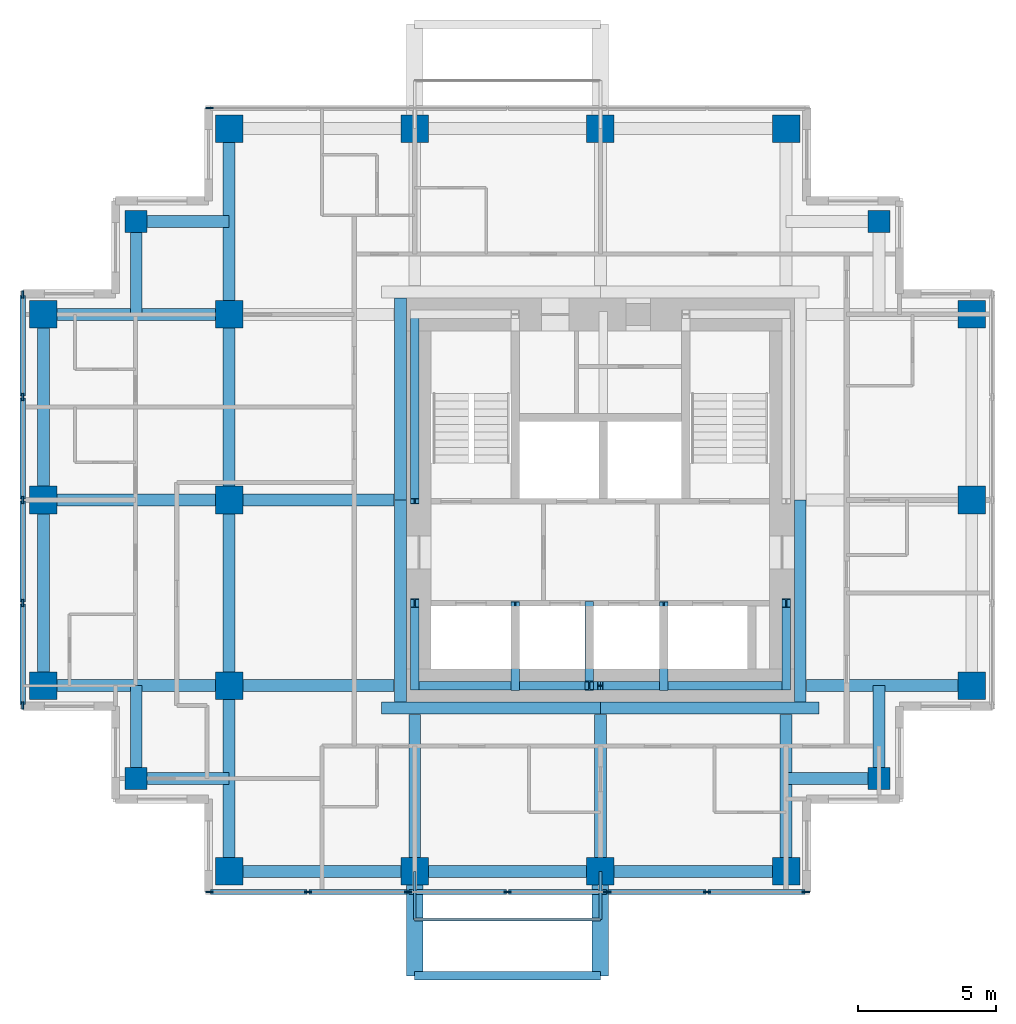
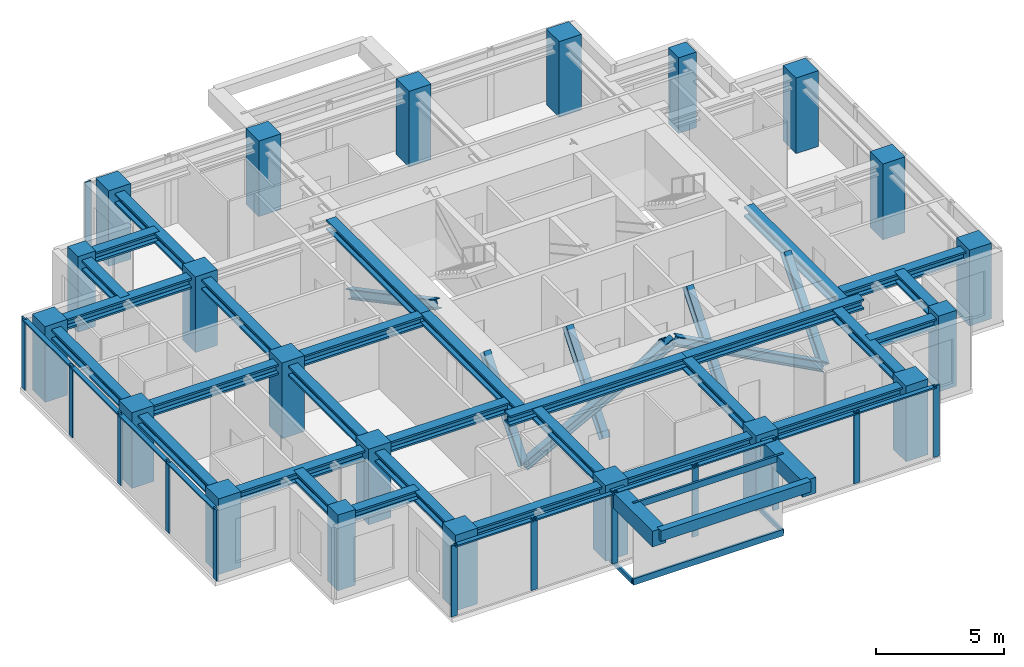
# One storey, part 1 of 8: 35 members, 32 beams, 21 columns, 3 elements without a shape of their own.
"""IFC4 building model written with IfcOpenShell, lengths in metres."""

from ifc_helpers import new_model, si_unit, direction, frame, origin, origin_2d, place, context, subcontext, project, spatial, rectangle, hollow_rectangle, i_section, extrude, material, material_profile, profile_set, type_object, element, aggregate, save


model = new_model("IFC4")

# Units and contexts
model_context = context("Model", 3, precision=1e-05, world=origin(), true_north=direction((0.0, 1.0)))
body_context = subcontext(model_context, "Body", "Model", "MODEL_VIEW")
ifc_project = project(units=[si_unit("LENGTHUNIT", "METRE"), si_unit("AREAUNIT", "SQUARE_METRE"), si_unit("VOLUMEUNIT", "CUBIC_METRE"), si_unit("PLANEANGLEUNIT", "RADIAN"), si_unit("MASSUNIT", "GRAM", prefix="KILO")], contexts=[model_context])

# Site, building, storey
site_placement = place(None, origin())
site = spatial("IfcSite", under=ifc_project, at=site_placement, CompositionType="ELEMENT")
building_placement = place(site_placement, origin())
building = spatial("IfcBuilding", under=site, at=building_placement, Name="Nyansa Garden Tower", CompositionType="ELEMENT")
storey_placement = place(building_placement, frame((0.0, 0.0, 229.5)))
storey = spatial("IfcBuildingStorey", under=building, at=storey_placement, Name="L62", CompositionType="ELEMENT", Elevation=229.5)

# Columns
ifc_material_1 = material(Name="Concrete C70/85", Category="concrete")
ifc_material_profile_1 = material_profile(ifc_material_1, rectangle(XDim=1.0, YDim=1.0, at=origin_2d()), Name="RC 1000x1000")
ifc_profile_set_1 = profile_set([ifc_material_profile_1], Name="Concrete C70/85")
column_type_1 = type_object("IfcColumnType", Name="Column C100 RC 1000x1000", PredefinedType="COLUMN", material=ifc_profile_set_1)
for number, where, z_axis, x_axis, name in (
    (1, (0.0, 13.5, 0.0), (0.0, 0.0, 1.0), (1.0, 0.0, 0.0), "Column 2/F L62"),
    (2, (0.0, 20.25, 0.0), (0.0, 0.0, 1.0), (1.0, 0.0, 0.0), "Column 2/G L62"),
    (3, (0.0, 27.0, 0.0), (0.0, 0.0, 1.0), (1.0, 0.0, 0.0), "Column 2/H L62"),
    (4, (6.75, 6.75, 0.0), (0.0, 0.0, 1.0), (1.0, 0.0, 0.0), "Column 3/E L62"),
    (5, (6.75, 13.5, 0.0), (0.0, 0.0, 1.0), (1.0, 0.0, 0.0), "Column 3/F L62"),
    (6, (6.75, 20.25, 0.0), (0.0, 0.0, 1.0), (1.0, 0.0, 0.0), "Column 3/G L62"),
    (7, (6.75, 27.0, 0.0), (0.0, 0.0, 1.0), (1.0, 0.0, 0.0), "Column 3/H L62"),
    (8, (6.75, 33.75, 0.0), (0.0, 0.0, 1.0), (1.0, 0.0, 0.0), "Column 3/J L62"),
    (9, (13.5, 6.75, 0.0), (0.0, 0.0, 1.0), (1.0, 0.0, 0.0), "Column 4/E L62"),
    (10, (13.5, 33.75, 0.0), (0.0, 0.0, 1.0), (1.0, 0.0, 0.0), "Column 4/J L62"),
    (11, (20.25, 6.75, 0.0), (0.0, 0.0, 1.0), (1.0, 0.0, 0.0), "Column 5/E L62"),
    (12, (20.25, 33.75, 0.0), (0.0, 0.0, 1.0), (1.0, 0.0, 0.0), "Column 5/J L62"),
    (13, (27.0, 6.75, 0.0), (0.0, 0.0, 1.0), (1.0, 0.0, 0.0), "Column 6/E L62"),
    (14, (27.0, 33.75, 0.0), (0.0, 0.0, 1.0), (1.0, 0.0, 0.0), "Column 6/J L62"),
    (15, (33.75, 13.5, 0.0), (0.0, 0.0, 1.0), (1.0, 0.0, 0.0), "Column 7/F L62"),
    (16, (33.75, 20.25, 0.0), (0.0, 0.0, 1.0), (1.0, 0.0, 0.0), "Column 7/G L62"),
    (17, (33.75, 27.0, 0.0), (0.0, 0.0, 1.0), (1.0, 0.0, 0.0), "Column 7/H L62"),
):
    element("IfcColumn", number, at=place(storey_placement, frame(where, z_axis=z_axis, x_axis=x_axis)), inside=storey, type_object=column_type_1, Name=name, PredefinedType="COLUMN", context=body_context, shape_type="SweptSolid", body=[
        extrude(rectangle(XDim=1.0, YDim=1.0, at=origin_2d()), origin(), (0.0, 0.0, 1.0), 3.60009765625),
    ])
ifc_material_2 = material(Name="Concrete C70/85", Category="concrete")
ifc_material_profile_2 = material_profile(ifc_material_2, rectangle(XDim=0.800048828125, YDim=0.800048828125, at=origin_2d()), Name="RC 800x800")
ifc_profile_set_2 = profile_set([ifc_material_profile_2], Name="Concrete C70/85")
column_type_2 = type_object("IfcColumnType", Name="Column C80 RC 800x800", PredefinedType="COLUMN", material=ifc_profile_set_2)
for number, where, z_axis, x_axis, name in (
    (18, (3.375, 10.125, 0.0), (0.0, 0.0, 1.0), (1.0, 0.0, 0.0), "Column x3.375/y10.125 L62"),
    (19, (3.375, 30.375, 0.0), (0.0, 0.0, 1.0), (1.0, 0.0, 0.0), "Column x3.375/y30.375 L62"),
    (20, (30.375, 10.125, 0.0), (0.0, 0.0, 1.0), (1.0, 0.0, 0.0), "Column x30.375/y10.125 L62"),
    (21, (30.375, 30.375, 0.0), (0.0, 0.0, 1.0), (1.0, 0.0, 0.0), "Column x30.375/y30.375 L62"),
):
    element("IfcColumn", number, at=place(storey_placement, frame(where, z_axis=z_axis, x_axis=x_axis)), inside=storey, type_object=column_type_2, Name=name, PredefinedType="COLUMN", context=body_context, shape_type="SweptSolid", body=[
        extrude(rectangle(XDim=0.800048828125, YDim=0.800048828125, at=origin_2d()), origin(), (0.0, 0.0, 1.0), 3.60009765625),
    ])

# Beams
ifc_material_3 = material(Name="Concrete C70/85", Category="concrete")
ifc_material_profile_3 = material_profile(ifc_material_3, rectangle(XDim=0.60009765625, YDim=0.75, at=origin_2d()), Name="RC 600x750")
ifc_profile_set_3 = profile_set([ifc_material_profile_3], Name="Concrete C70/85")
beam_type_1 = type_object("IfcBeamType", Name="Balcony cantilever beam CB1 RC 600x750", PredefinedType="BEAM", material=ifc_profile_set_3)
for number, where, z_axis, x_axis, name in (
    (22, (13.5, 6.75, 2.985107421875), (0.0, -1.0, 0.0), (1.0, 0.0, 0.0), "Balcony cantilever beam L63"),
    (23, (20.25, 6.75, 2.985107421875), (0.0, -1.0, 0.0), (1.0, 0.0, 0.0), "Balcony cantilever beam L63"),
):
    element("IfcBeam", number, at=place(storey_placement, frame(where, z_axis=z_axis, x_axis=x_axis)), inside=storey, type_object=beam_type_1, Name=name, PredefinedType="BEAM", context=body_context, shape_type="SweptSolid", body=[
        extrude(rectangle(XDim=0.60009765625, YDim=0.75, at=origin_2d()), origin(), (0.0, 0.0, 1.0), 3.800048828125),
    ])
ifc_material_4 = material(Name="Concrete C70/85", Category="concrete")
ifc_material_profile_4 = material_profile(ifc_material_4, rectangle(XDim=0.300048828125, YDim=0.5, at=origin_2d()), Name="RC 300x500")
ifc_profile_set_4 = profile_set([ifc_material_profile_4], Name="Concrete C70/85")
beam_type_2 = type_object("IfcBeamType", Name="Balcony edge beam BE1 RC 300x500", PredefinedType="BEAM", material=ifc_profile_set_4)
beam_1_placement = place(storey_placement, frame((13.5, 2.949951171875, 3.110107421875), z_axis=(1.0, 0.0, 0.0), x_axis=(0.0, 1.0, 0.0)))
element("IfcBeam", 24, at=beam_1_placement, inside=storey, type_object=beam_type_2, Name="Balcony edge beam L63", PredefinedType="BEAM", context=body_context, shape_type="SweptSolid", body=[
    extrude(rectangle(XDim=0.300048828125, YDim=0.5, at=origin_2d()), origin(), (0.0, 0.0, 1.0), 6.75),
])

# Curtain wall, member
ifc_material_5 = material(Name="Black anodised aluminium, dark tinted double glazing", Category="aluminium")
curtain_wall_type = type_object("IfcCurtainWallType", Name="Inner skin curtain wall ISW-D", PredefinedType="USERDEFINED", material=ifc_material_5)
curtain_wall_1_placement = place(storey_placement, origin())
curtain_wall_1 = element("IfcCurtainWall", 25, at=curtain_wall_1_placement, inside=storey, type_object=curtain_wall_type, Name="Inner skin curtain wall L62 N", ObjectType="UNITISED CURTAIN WALL", PredefinedType="USERDEFINED")
ifc_material_6 = material(Name="Black anodised aluminium", Category="aluminium")
ifc_material_profile_5 = material_profile(ifc_material_6, rectangle(XDim=0.070068359375, YDim=0.27490234375, at=origin_2d()), Name="Mullion 275x70")
ifc_profile_set_5 = profile_set([ifc_material_profile_5], Name="Black anodised aluminium")
member_type_1 = type_object("IfcMemberType", Name="Mullion ISW-D 275x70", PredefinedType="MULLION", material=ifc_profile_set_5)
member_1_placement = place(storey_placement, frame((6.034912109375, 34.5, 0.0), z_axis=(0.0, 0.0, 1.0), x_axis=(0.0, -1.0, 0.0)))
member_1 = element("IfcMember", 26, at=member_1_placement, type_object=member_type_1, Name="ISW-D mullion 7", PredefinedType="MULLION", context=body_context, shape_type="SweptSolid", body=[
    extrude(rectangle(XDim=0.070068359375, YDim=0.27490234375, at=origin_2d()), origin(), (0.0, 0.0, 1.0), 3.375),
])
aggregate(curtain_wall_1, [member_1])

# Curtain wall, members
curtain_wall_2_placement = place(storey_placement, origin())
curtain_wall_2 = element("IfcCurtainWall", 27, at=curtain_wall_2_placement, inside=storey, type_object=curtain_wall_type, Name="Inner skin curtain wall L62 W", ObjectType="UNITISED CURTAIN WALL", PredefinedType="USERDEFINED")
member_2_placement = place(storey_placement, frame((-0.75, 27.715087890625, 0.0), z_axis=(0.0, 0.0, 1.0), x_axis=(1.0, 0.0, 0.0)))
member_2 = element("IfcMember", 28, at=member_2_placement, type_object=member_type_1, Name="ISW-D mullion 1", PredefinedType="MULLION", context=body_context, shape_type="SweptSolid", body=[
    extrude(rectangle(XDim=0.070068359375, YDim=0.27490234375, at=origin_2d()), origin(), (0.0, 0.0, 1.0), 3.375),
])
member_3_placement = place(storey_placement, frame((-0.75, 24.0, 0.0), z_axis=(0.0, 0.0, 1.0), x_axis=(1.0, 0.0, 0.0)))
member_3 = element("IfcMember", 29, at=member_3_placement, type_object=member_type_1, Name="ISW-D mullion 2", PredefinedType="MULLION", context=body_context, shape_type="SweptSolid", body=[
    extrude(rectangle(XDim=0.070068359375, YDim=0.27490234375, at=origin_2d()), origin(), (0.0, 0.0, 1.0), 3.375),
])
member_4_placement = place(storey_placement, frame((-0.75, 20.25, 0.0), z_axis=(0.0, 0.0, 1.0), x_axis=(1.0, 0.0, 0.0)))
member_4 = element("IfcMember", 30, at=member_4_placement, type_object=member_type_1, Name="ISW-D mullion 3", PredefinedType="MULLION", context=body_context, shape_type="SweptSolid", body=[
    extrude(rectangle(XDim=0.070068359375, YDim=0.27490234375, at=origin_2d()), origin(), (0.0, 0.0, 1.0), 3.375),
])
member_5_placement = place(storey_placement, frame((-0.75, 16.5, 0.0), z_axis=(0.0, 0.0, 1.0), x_axis=(1.0, 0.0, 0.0)))
member_5 = element("IfcMember", 31, at=member_5_placement, type_object=member_type_1, Name="ISW-D mullion 4", PredefinedType="MULLION", context=body_context, shape_type="SweptSolid", body=[
    extrude(rectangle(XDim=0.070068359375, YDim=0.27490234375, at=origin_2d()), origin(), (0.0, 0.0, 1.0), 3.375),
])
member_6_placement = place(storey_placement, frame((-0.75, 12.784912109375, 0.0), z_axis=(0.0, 0.0, 1.0), x_axis=(1.0, 0.0, 0.0)))
member_6 = element("IfcMember", 32, at=member_6_placement, type_object=member_type_1, Name="ISW-D mullion 5", PredefinedType="MULLION", context=body_context, shape_type="SweptSolid", body=[
    extrude(rectangle(XDim=0.070068359375, YDim=0.27490234375, at=origin_2d()), origin(), (0.0, 0.0, 1.0), 3.375),
])

curtain_wall_3_placement = place(storey_placement, origin())
curtain_wall_3 = element("IfcCurtainWall", 33, at=curtain_wall_3_placement, inside=storey, type_object=curtain_wall_type, Name="Inner skin curtain wall L62 S", ObjectType="UNITISED CURTAIN WALL", PredefinedType="USERDEFINED")
member_7_placement = place(storey_placement, frame((6.034912109375, 6.0, 0.0), z_axis=(0.0, 0.0, 1.0), x_axis=(0.0, 1.0, 0.0)))
member_7 = element("IfcMember", 34, at=member_7_placement, type_object=member_type_1, Name="ISW-D mullion 1", PredefinedType="MULLION", context=body_context, shape_type="SweptSolid", body=[
    extrude(rectangle(XDim=0.070068359375, YDim=0.27490234375, at=origin_2d()), origin(), (0.0, 0.0, 1.0), 3.375),
])
member_8_placement = place(storey_placement, frame((9.625, 6.0, 0.0), z_axis=(0.0, 0.0, 1.0), x_axis=(0.0, 1.0, 0.0)))
member_8 = element("IfcMember", 35, at=member_8_placement, type_object=member_type_1, Name="ISW-D mullion 2", PredefinedType="MULLION", context=body_context, shape_type="SweptSolid", body=[
    extrude(rectangle(XDim=0.070068359375, YDim=0.27490234375, at=origin_2d()), origin(), (0.0, 0.0, 1.0), 3.375),
])
member_9_placement = place(storey_placement, frame((13.25, 6.0, 0.0), z_axis=(0.0, 0.0, 1.0), x_axis=(0.0, 1.0, 0.0)))
member_9 = element("IfcMember", 36, at=member_9_placement, type_object=member_type_1, Name="ISW-D mullion 3", PredefinedType="MULLION", context=body_context, shape_type="SweptSolid", body=[
    extrude(rectangle(XDim=0.070068359375, YDim=0.27490234375, at=origin_2d()), origin(), (0.0, 0.0, 1.0), 3.375),
])
member_10_placement = place(storey_placement, frame((16.875, 6.0, 0.0), z_axis=(0.0, 0.0, 1.0), x_axis=(0.0, 1.0, 0.0)))
member_10 = element("IfcMember", 37, at=member_10_placement, type_object=member_type_1, Name="ISW-D mullion 4", PredefinedType="MULLION", context=body_context, shape_type="SweptSolid", body=[
    extrude(rectangle(XDim=0.070068359375, YDim=0.27490234375, at=origin_2d()), origin(), (0.0, 0.0, 1.0), 3.375),
])
member_11_placement = place(storey_placement, frame((20.5, 6.0, 0.0), z_axis=(0.0, 0.0, 1.0), x_axis=(0.0, 1.0, 0.0)))
member_11 = element("IfcMember", 38, at=member_11_placement, type_object=member_type_1, Name="ISW-D mullion 5", PredefinedType="MULLION", context=body_context, shape_type="SweptSolid", body=[
    extrude(rectangle(XDim=0.070068359375, YDim=0.27490234375, at=origin_2d()), origin(), (0.0, 0.0, 1.0), 3.375),
])
member_12_placement = place(storey_placement, frame((24.125, 6.0, 0.0), z_axis=(0.0, 0.0, 1.0), x_axis=(0.0, 1.0, 0.0)))
member_12 = element("IfcMember", 39, at=member_12_placement, type_object=member_type_1, Name="ISW-D mullion 6", PredefinedType="MULLION", context=body_context, shape_type="SweptSolid", body=[
    extrude(rectangle(XDim=0.070068359375, YDim=0.27490234375, at=origin_2d()), origin(), (0.0, 0.0, 1.0), 3.375),
])
member_13_placement = place(storey_placement, frame((27.715087890625, 6.0, 0.0), z_axis=(0.0, 0.0, 1.0), x_axis=(0.0, 1.0, 0.0)))
member_13 = element("IfcMember", 40, at=member_13_placement, type_object=member_type_1, Name="ISW-D mullion 7", PredefinedType="MULLION", context=body_context, shape_type="SweptSolid", body=[
    extrude(rectangle(XDim=0.070068359375, YDim=0.27490234375, at=origin_2d()), origin(), (0.0, 0.0, 1.0), 3.375),
])

# Members
ifc_material_7 = material(Name="Steel S355, black powder coated", Category="steel")
ifc_material_profile_6 = material_profile(ifc_material_7, hollow_rectangle(XDim=0.10009765625, YDim=0.199951171875, WallThickness=0.008056640625, at=origin_2d()), Name="RHS 200x100x8")
ifc_profile_set_6 = profile_set([ifc_material_profile_6], Name="Steel S355, black powder coated")
member_type_2 = type_object("IfcMemberType", Name="Outer skin bracket arm RHS 200x100x8", PredefinedType="USERDEFINED", material=ifc_profile_set_6)
for number, where, z_axis, x_axis, name in (
    (41, (13.5, 6.75, -0.375), (0.0, -1.0, 0.0), (1.0, 0.0, 0.0), "Outer skin bracket arm"),
    (42, (20.25, 6.75, -0.375), (0.0, -1.0, 0.0), (1.0, 0.0, 0.0), "Outer skin bracket arm"),
):
    element("IfcMember", number, at=place(storey_placement, frame(where, z_axis=z_axis, x_axis=x_axis)), inside=storey, type_object=member_type_2, Name=name, ObjectType="OUTER SKIN BRACKET", PredefinedType="USERDEFINED", context=body_context, shape_type="SweptSolid", body=[
        extrude(hollow_rectangle(XDim=0.10009765625, YDim=0.199951171875, WallThickness=0.008056640625, at=origin_2d()), origin(), (0.0, 0.0, 1.0), 1.75),
    ])
ifc_material_8 = material(Name="Steel S355, black powder coated", Category="steel")
ifc_material_profile_7 = material_profile(ifc_material_8, hollow_rectangle(XDim=0.10009765625, YDim=0.300048828125, WallThickness=0.010009765625, at=origin_2d()), Name="RHS 300x100x10")
ifc_profile_set_7 = profile_set([ifc_material_profile_7], Name="Steel S355, black powder coated")
member_type_3 = type_object("IfcMemberType", Name="Outer skin rail RHS 300x100x10", PredefinedType="USERDEFINED", material=ifc_profile_set_7)
for number, where, z_axis, x_axis, name in (
    (43, (13.5, 5.0, -0.375), (1.0, 0.0, 0.0), (0.0, 1.0, 0.0), "Outer skin rail L62"),
    (44, (13.5, 5.0, 3.22509765625), (1.0, 0.0, 0.0), (0.0, 1.0, 0.0), "Outer skin rail L62 head"),
):
    element("IfcMember", number, at=place(storey_placement, frame(where, z_axis=z_axis, x_axis=x_axis)), inside=storey, type_object=member_type_3, Name=name, ObjectType="OUTER SKIN RAIL", PredefinedType="USERDEFINED", context=body_context, shape_type="SweptSolid", body=[
        extrude(hollow_rectangle(XDim=0.10009765625, YDim=0.300048828125, WallThickness=0.010009765625, at=origin_2d()), origin(), (0.0, 0.0, 1.0), 6.75),
    ])
ifc_material_9 = material(Name="Steel S355", Category="steel")
ifc_material_profile_8 = material_profile(ifc_material_9, i_section(OverallWidth=0.306884765625, OverallDepth=0.431884765625, WebThickness=0.02099609375, FlangeThickness=0.0400390625, FilletRadius=0.027099609375, at=origin_2d()), Name="HE 400 M")
ifc_profile_set_8 = profile_set([ifc_material_profile_8], Name="Steel S355")
member_type_4 = type_object("IfcMemberType", Name="Perimeter brace HE 400 M", PredefinedType="BRACE", material=ifc_profile_set_8)
for number, where, z_axis, x_axis, name in (
    (45, (13.5, 13.5, 0.0), (0.882347640589, 0.0, 0.47059817376), (0.0, 1.0, 0.0), "Core brace CS1 L62"),
    (46, (27.0, 13.5, 0.0), (-0.882347640589, 0.0, 0.47059817376), (0.0, -1.0, 0.0), "Core brace CS2 L62"),
):
    element("IfcMember", number, at=place(storey_placement, frame(where, z_axis=z_axis, x_axis=x_axis)), inside=storey, type_object=member_type_4, Name=name, PredefinedType="BRACE", context=body_context, shape_type="SweptSolid", body=[
        extrude(i_section(OverallWidth=0.306884765625, OverallDepth=0.431884765625, WebThickness=0.02099609375, FlangeThickness=0.0400390625, FilletRadius=0.027099609375, at=origin_2d()), origin(), (0.0, 0.0, 1.0), 7.650146484375),
    ])
member_14_placement = place(storey_placement, frame((13.5, 13.5, 0.0), z_axis=(0.0, 0.640174150918, 0.768229820104), x_axis=(-1.0, 0.0, 0.0)))
element("IfcMember", 47, at=member_14_placement, inside=storey, type_object=member_type_4, Name="Core brace CW5 L62", PredefinedType="BRACE", context=body_context, shape_type="SweptSolid", body=[
    extrude(i_section(OverallWidth=0.306884765625, OverallDepth=0.431884765625, WebThickness=0.02099609375, FlangeThickness=0.0400390625, FilletRadius=0.027099609375, at=origin_2d()), origin(), (0.0, 0.0, 1.0), 4.686279296875),
])
member_15_placement = place(storey_placement, frame((13.5, 27.0, 0.0), z_axis=(0.0, -0.883784057226, 0.467895009796), x_axis=(1.0, 0.0, 0.0)))
element("IfcMember", 48, at=member_15_placement, inside=storey, type_object=member_type_4, Name="Core brace CW6 L62", PredefinedType="BRACE", context=body_context, shape_type="SweptSolid", body=[
    extrude(i_section(OverallWidth=0.306884765625, OverallDepth=0.431884765625, WebThickness=0.02099609375, FlangeThickness=0.0400390625, FilletRadius=0.027099609375, at=origin_2d()), origin(), (0.0, 0.0, 1.0), 7.6943359375),
])
member_16_placement = place(storey_placement, frame((27.0, 13.5, 0.0), z_axis=(0.0, 0.640174150918, 0.768229820104), x_axis=(-1.0, 0.0, 0.0)))
element("IfcMember", 49, at=member_16_placement, inside=storey, type_object=member_type_4, Name="Core brace CE7 L62", PredefinedType="BRACE", context=body_context, shape_type="SweptSolid", body=[
    extrude(i_section(OverallWidth=0.306884765625, OverallDepth=0.431884765625, WebThickness=0.02099609375, FlangeThickness=0.0400390625, FilletRadius=0.027099609375, at=origin_2d()), origin(), (0.0, 0.0, 1.0), 4.686279296875),
])
for number, where, z_axis, x_axis, name in (
    (50, (17.14990234375, 13.5, 0.0), (0.0, 0.627306405886, 0.778772542617), (-1.0, 0.0, 0.0), "Core brace CSW11 L62"),
    (51, (19.85009765625, 16.39990234375, 0.0), (0.0, -0.627306405886, 0.778772542617), (1.0, 0.0, 0.0), "Core brace CSW12 L62"),
    (52, (22.550048828125, 13.5, 0.0), (0.0, 0.627306405886, 0.778772542617), (-1.0, 0.0, 0.0), "Core brace CSW13 L62"),
):
    element("IfcMember", number, at=place(storey_placement, frame(where, z_axis=z_axis, x_axis=x_axis)), inside=storey, type_object=member_type_4, Name=name, PredefinedType="BRACE", context=body_context, shape_type="SweptSolid", body=[
        extrude(i_section(OverallWidth=0.306884765625, OverallDepth=0.431884765625, WebThickness=0.02099609375, FlangeThickness=0.0400390625, FilletRadius=0.027099609375, at=origin_2d()), origin(), (0.0, 0.0, 1.0), 4.622802734375),
    ])

# Beams
ifc_material_10 = material(Name="Steel S355", Category="steel")
ifc_material_profile_9 = material_profile(ifc_material_10, i_section(OverallWidth=0.431884765625, OverallDepth=0.498046875, WebThickness=0.0556640625, FlangeThickness=0.0888671875, FilletRadius=0.014892578125, at=origin_2d()), Name="HD 400x744")
ifc_profile_set_9 = profile_set([ifc_material_profile_9], Name="Steel S355")
beam_type_3 = type_object("IfcBeamType", Name="Steel beam SBD1-744 HD 400x744", PredefinedType="BEAM", material=ifc_profile_set_9)
for number, where, z_axis, x_axis, name in (
    (53, (0.0, 13.5, 3.1259765625), (1.0, 0.0, 0.0), (0.0, 1.0, 0.0), "Steel beam 2/F-3/F L63"),
    (54, (0.0, 20.25, 3.1259765625), (1.0, 0.0, 0.0), (0.0, 1.0, 0.0), "Steel beam 2/G-3/G L63"),
    (55, (0.0, 27.0, 3.1259765625), (1.0, 0.0, 0.0), (0.0, 1.0, 0.0), "Steel beam 2/H-3/H L63"),
    (56, (6.75, 6.75, 3.1259765625), (0.0, 1.0, 0.0), (-1.0, 0.0, 0.0), "Steel beam 3/E-3/F L63"),
    (57, (6.75, 13.5, 3.1259765625), (0.0, 1.0, 0.0), (-1.0, 0.0, 0.0), "Steel beam 3/F-3/G L63"),
):
    element("IfcBeam", number, at=place(storey_placement, frame(where, z_axis=z_axis, x_axis=x_axis)), inside=storey, type_object=beam_type_3, Name=name, PredefinedType="BEAM", context=body_context, shape_type="SweptSolid", body=[
        extrude(i_section(OverallWidth=0.431884765625, OverallDepth=0.498046875, WebThickness=0.0556640625, FlangeThickness=0.0888671875, FilletRadius=0.014892578125, at=origin_2d()), origin(), (0.0, 0.0, 1.0), 6.75),
    ])
beam_2_placement = place(storey_placement, frame((6.75, 13.5, 3.1259765625), z_axis=(1.0, 0.0, 0.0), x_axis=(0.0, 1.0, 0.0)))
element("IfcBeam", 58, at=beam_2_placement, inside=storey, type_object=beam_type_3, Name="Steel beam 3/F-12.750/F L63", PredefinedType="BEAM", context=body_context, shape_type="SweptSolid", body=[
    extrude(i_section(OverallWidth=0.431884765625, OverallDepth=0.498046875, WebThickness=0.0556640625, FlangeThickness=0.0888671875, FilletRadius=0.014892578125, at=origin_2d()), origin(), (0.0, 0.0, 1.0), 6.0),
])
beam_3_placement = place(storey_placement, frame((6.75, 20.25, 3.1259765625), z_axis=(0.0, 1.0, 0.0), x_axis=(-1.0, 0.0, 0.0)))
element("IfcBeam", 59, at=beam_3_placement, inside=storey, type_object=beam_type_3, Name="Steel beam 3/G-3/H L63", PredefinedType="BEAM", context=body_context, shape_type="SweptSolid", body=[
    extrude(i_section(OverallWidth=0.431884765625, OverallDepth=0.498046875, WebThickness=0.0556640625, FlangeThickness=0.0888671875, FilletRadius=0.014892578125, at=origin_2d()), origin(), (0.0, 0.0, 1.0), 6.75),
])
beam_4_placement = place(storey_placement, frame((6.75, 20.25, 3.1259765625), z_axis=(1.0, 0.0, 0.0), x_axis=(0.0, 1.0, 0.0)))
element("IfcBeam", 60, at=beam_4_placement, inside=storey, type_object=beam_type_3, Name="Steel beam 3/G-12.750/G L63", PredefinedType="BEAM", context=body_context, shape_type="SweptSolid", body=[
    extrude(i_section(OverallWidth=0.431884765625, OverallDepth=0.498046875, WebThickness=0.0556640625, FlangeThickness=0.0888671875, FilletRadius=0.014892578125, at=origin_2d()), origin(), (0.0, 0.0, 1.0), 6.0),
])
beam_5_placement = place(storey_placement, frame((6.75, 27.0, 3.1259765625), z_axis=(0.0, 1.0, 0.0), x_axis=(-1.0, 0.0, 0.0)))
element("IfcBeam", 61, at=beam_5_placement, inside=storey, type_object=beam_type_3, Name="Steel beam 3/H-3/J L63", PredefinedType="BEAM", context=body_context, shape_type="SweptSolid", body=[
    extrude(i_section(OverallWidth=0.431884765625, OverallDepth=0.498046875, WebThickness=0.0556640625, FlangeThickness=0.0888671875, FilletRadius=0.014892578125, at=origin_2d()), origin(), (0.0, 0.0, 1.0), 6.75),
])
for number, where, z_axis, x_axis, name in (
    (62, (13.5, 6.75, 3.1259765625), (0.0, 1.0, 0.0), (-1.0, 0.0, 0.0), "Steel beam 4/E-4/12.450 L63"),
    (63, (20.25, 6.75, 3.1259765625), (0.0, 1.0, 0.0), (-1.0, 0.0, 0.0), "Steel beam 5/E-5/12.450 L63"),
    (64, (27.0, 6.75, 3.1259765625), (0.0, 1.0, 0.0), (-1.0, 0.0, 0.0), "Steel beam 6/E-6/12.450 L63"),
):
    element("IfcBeam", number, at=place(storey_placement, frame(where, z_axis=z_axis, x_axis=x_axis)), inside=storey, type_object=beam_type_3, Name=name, PredefinedType="BEAM", context=body_context, shape_type="SweptSolid", body=[
        extrude(i_section(OverallWidth=0.431884765625, OverallDepth=0.498046875, WebThickness=0.0556640625, FlangeThickness=0.0888671875, FilletRadius=0.014892578125, at=origin_2d()), origin(), (0.0, 0.0, 1.0), 5.699951171875),
    ])
beam_6_placement = place(storey_placement, frame((27.75, 13.5, 3.1259765625), z_axis=(1.0, 0.0, 0.0), x_axis=(0.0, 1.0, 0.0)))
element("IfcBeam", 65, at=beam_6_placement, inside=storey, type_object=beam_type_3, Name="Steel beam 27.750/F-7/F L63", PredefinedType="BEAM", context=body_context, shape_type="SweptSolid", body=[
    extrude(i_section(OverallWidth=0.431884765625, OverallDepth=0.498046875, WebThickness=0.0556640625, FlangeThickness=0.0888671875, FilletRadius=0.014892578125, at=origin_2d()), origin(), (0.0, 0.0, 1.0), 6.0),
])
ifc_material_11 = material(Name="Steel S355", Category="steel")
ifc_material_profile_10 = material_profile(ifc_material_11, i_section(OverallWidth=0.431884765625, OverallDepth=0.498046875, WebThickness=0.0556640625, FlangeThickness=0.0888671875, FilletRadius=0.014892578125, at=origin_2d()), Name="HD 400x744")
ifc_profile_set_10 = profile_set([ifc_material_profile_10], Name="Steel S355")
beam_type_4 = type_object("IfcBeamType", Name="Steel beam SEBD-744 HD 400x744", PredefinedType="BEAM", material=ifc_profile_set_10)
for number, where, z_axis, x_axis, name in (
    (66, (0.0, 13.5, 3.1259765625), (0.0, 1.0, 0.0), (-1.0, 0.0, 0.0), "Steel edge beam 2/F-2/G L63"),
    (67, (0.0, 20.25, 3.1259765625), (0.0, 1.0, 0.0), (-1.0, 0.0, 0.0), "Steel edge beam 2/G-2/H L63"),
    (68, (6.75, 6.75, 3.1259765625), (1.0, 0.0, 0.0), (0.0, 1.0, 0.0), "Steel edge beam 3/E-4/E L63"),
    (69, (13.5, 6.75, 3.1259765625), (1.0, 0.0, 0.0), (0.0, 1.0, 0.0), "Steel edge beam 4/E-5/E L63"),
    (70, (20.25, 6.75, 3.1259765625), (1.0, 0.0, 0.0), (0.0, 1.0, 0.0), "Steel edge beam 5/E-6/E L63"),
):
    element("IfcBeam", number, at=place(storey_placement, frame(where, z_axis=z_axis, x_axis=x_axis)), inside=storey, type_object=beam_type_4, Name=name, PredefinedType="BEAM", context=body_context, shape_type="SweptSolid", body=[
        extrude(i_section(OverallWidth=0.431884765625, OverallDepth=0.498046875, WebThickness=0.0556640625, FlangeThickness=0.0888671875, FilletRadius=0.014892578125, at=origin_2d()), origin(), (0.0, 0.0, 1.0), 6.75),
    ])
ifc_material_12 = material(Name="Steel S355", Category="steel")
ifc_material_profile_11 = material_profile(ifc_material_12, i_section(OverallWidth=0.431884765625, OverallDepth=0.498046875, WebThickness=0.0556640625, FlangeThickness=0.0888671875, FilletRadius=0.014892578125, at=origin_2d()), Name="HD 400x744")
ifc_profile_set_11 = profile_set([ifc_material_profile_11], Name="Steel S355")
beam_type_5 = type_object("IfcBeamType", Name="Steel beam SLB1-744 HD 400x744", PredefinedType="BEAM", material=ifc_profile_set_11)
for number, where, z_axis, x_axis, name in (
    (71, (12.300048828125, 12.68408203125, 3.1259765625), (1.0, 0.0, 0.0), (0.0, 1.0, 0.0), "Steel core ledger beam S.1 L63"),
    (72, (20.25, 12.68408203125, 3.1259765625), (1.0, 0.0, 0.0), (0.0, 1.0, 0.0), "Steel core ledger beam S.2 L63"),
):
    element("IfcBeam", number, at=place(storey_placement, frame(where, z_axis=z_axis, x_axis=x_axis)), inside=storey, type_object=beam_type_5, Name=name, PredefinedType="BEAM", context=body_context, shape_type="SweptSolid", body=[
        extrude(i_section(OverallWidth=0.431884765625, OverallDepth=0.498046875, WebThickness=0.0556640625, FlangeThickness=0.0888671875, FilletRadius=0.014892578125, at=origin_2d()), origin(), (0.0, 0.0, 1.0), 7.949951171875),
    ])
for number, where, z_axis, x_axis, name in (
    (73, (27.51611328125, 12.89990234375, 3.1259765625), (0.0, 1.0, 0.0), (-1.0, 0.0, 0.0), "Steel core ledger beam E.1 L63"),
    (74, (12.98388671875, 27.60009765625, 3.1259765625), (0.0, -1.0, 0.0), (1.0, 0.0, 0.0), "Steel core ledger beam W.1 L63"),
    (75, (12.98388671875, 20.25, 3.1259765625), (0.0, -1.0, 0.0), (1.0, 0.0, 0.0), "Steel core ledger beam W.2 L63"),
):
    element("IfcBeam", number, at=place(storey_placement, frame(where, z_axis=z_axis, x_axis=x_axis)), inside=storey, type_object=beam_type_5, Name=name, PredefinedType="BEAM", context=body_context, shape_type="SweptSolid", body=[
        extrude(i_section(OverallWidth=0.431884765625, OverallDepth=0.498046875, WebThickness=0.0556640625, FlangeThickness=0.0888671875, FilletRadius=0.014892578125, at=origin_2d()), origin(), (0.0, 0.0, 1.0), 7.35009765625),
    ])
ifc_material_13 = material(Name="Steel S355", Category="steel")
ifc_material_profile_12 = material_profile(ifc_material_13, i_section(OverallWidth=0.431884765625, OverallDepth=0.498046875, WebThickness=0.0556640625, FlangeThickness=0.0888671875, FilletRadius=0.014892578125, at=origin_2d()), Name="HD 400x744")
ifc_profile_set_12 = profile_set([ifc_material_profile_12], Name="Steel S355")
beam_type_6 = type_object("IfcBeamType", Name="Steel beam SSB1-744 HD 400x744", PredefinedType="BEAM", material=ifc_profile_set_12)
for number, where, z_axis, x_axis, name in (
    (76, (3.375, 10.125, 3.1259765625), (0.0, 1.0, 0.0), (-1.0, 0.0, 0.0), "Steel step beam 3.375/10.125 L63"),
    (77, (3.375, 10.125, 3.1259765625), (1.0, 0.0, 0.0), (0.0, 1.0, 0.0), "Steel step beam 3.375/10.125 L63"),
    (78, (30.375, 10.125, 3.1259765625), (0.0, 1.0, 0.0), (-1.0, 0.0, 0.0), "Steel step beam 30.375/10.125 L63"),
    (79, (30.375, 10.125, 3.1259765625), (-1.0, 0.0, 0.0), (0.0, -1.0, 0.0), "Steel step beam 30.375/10.125 L63"),
    (80, (3.375, 30.375, 3.1259765625), (0.0, -1.0, 0.0), (1.0, 0.0, 0.0), "Steel step beam 3.375/30.375 L63"),
    (81, (3.375, 30.375, 3.1259765625), (1.0, 0.0, 0.0), (0.0, 1.0, 0.0), "Steel step beam 3.375/30.375 L63"),
):
    element("IfcBeam", number, at=place(storey_placement, frame(where, z_axis=z_axis, x_axis=x_axis)), inside=storey, type_object=beam_type_6, Name=name, PredefinedType="BEAM", context=body_context, shape_type="SweptSolid", body=[
        extrude(i_section(OverallWidth=0.431884765625, OverallDepth=0.498046875, WebThickness=0.0556640625, FlangeThickness=0.0888671875, FilletRadius=0.014892578125, at=origin_2d()), origin(), (0.0, 0.0, 1.0), 3.375),
    ])

# Member
ifc_material_14 = material(Name="Black anodised aluminium", Category="aluminium")
ifc_material_profile_13 = material_profile(ifc_material_14, rectangle(XDim=0.195068359375, YDim=0.070068359375, at=origin_2d()), Name="Transom 195x70")
ifc_profile_set_13 = profile_set([ifc_material_profile_13], Name="Black anodised aluminium")
member_type_5 = type_object("IfcMemberType", Name="Transom ISW-D 195x70", PredefinedType="USERDEFINED", material=ifc_profile_set_13)
member_17_placement = place(storey_placement, frame((-0.75, 27.679931640625, 3.340087890625), z_axis=(0.0, -1.0, 0.0), x_axis=(1.0, 0.0, 0.0)))
member_17 = element("IfcMember", 82, at=member_17_placement, type_object=member_type_5, Name="ISW-D transom 1", ObjectType="TRANSOM", PredefinedType="USERDEFINED", context=body_context, shape_type="SweptSolid", body=[
    extrude(rectangle(XDim=0.195068359375, YDim=0.070068359375, at=origin_2d()), origin(), (0.0, 0.0, 1.0), 3.64501953125),
])

member_18_placement = place(storey_placement, frame((-0.75, 23.965087890625, 3.340087890625), z_axis=(0.0, -1.0, 0.0), x_axis=(1.0, 0.0, 0.0)))
member_18 = element("IfcMember", 83, at=member_18_placement, type_object=member_type_5, Name="ISW-D transom 2", ObjectType="TRANSOM", PredefinedType="USERDEFINED", context=body_context, shape_type="SweptSolid", body=[
    extrude(rectangle(XDim=0.195068359375, YDim=0.070068359375, at=origin_2d()), origin(), (0.0, 0.0, 1.0), 3.68017578125),
])

member_19_placement = place(storey_placement, frame((-0.75, 20.215087890625, 3.340087890625), z_axis=(0.0, -1.0, 0.0), x_axis=(1.0, 0.0, 0.0)))
member_19 = element("IfcMember", 84, at=member_19_placement, type_object=member_type_5, Name="ISW-D transom 3", ObjectType="TRANSOM", PredefinedType="USERDEFINED", context=body_context, shape_type="SweptSolid", body=[
    extrude(rectangle(XDim=0.195068359375, YDim=0.070068359375, at=origin_2d()), origin(), (0.0, 0.0, 1.0), 3.68017578125),
])

member_20_placement = place(storey_placement, frame((-0.75, 16.465087890625, 3.340087890625), z_axis=(0.0, -1.0, 0.0), x_axis=(1.0, 0.0, 0.0)))
member_20 = element("IfcMember", 85, at=member_20_placement, type_object=member_type_5, Name="ISW-D transom 4", ObjectType="TRANSOM", PredefinedType="USERDEFINED", context=body_context, shape_type="SweptSolid", body=[
    extrude(rectangle(XDim=0.195068359375, YDim=0.070068359375, at=origin_2d()), origin(), (0.0, 0.0, 1.0), 3.64501953125),
])

aggregate(curtain_wall_2, [member_2, member_3, member_4, member_5, member_6, member_17, member_18, member_19, member_20])

member_21_placement = place(storey_placement, frame((6.070068359375, 6.0, 3.340087890625), z_axis=(1.0, 0.0, 0.0), x_axis=(0.0, 1.0, 0.0)))
member_21 = element("IfcMember", 86, at=member_21_placement, type_object=member_type_5, Name="ISW-D transom 1", ObjectType="TRANSOM", PredefinedType="USERDEFINED", context=body_context, shape_type="SweptSolid", body=[
    extrude(rectangle(XDim=0.195068359375, YDim=0.070068359375, at=origin_2d()), origin(), (0.0, 0.0, 1.0), 3.52001953125),
])

member_22_placement = place(storey_placement, frame((9.659912109375, 6.0, 3.340087890625), z_axis=(1.0, 0.0, 0.0), x_axis=(0.0, 1.0, 0.0)))
member_22 = element("IfcMember", 87, at=member_22_placement, type_object=member_type_5, Name="ISW-D transom 2", ObjectType="TRANSOM", PredefinedType="USERDEFINED", context=body_context, shape_type="SweptSolid", body=[
    extrude(rectangle(XDim=0.195068359375, YDim=0.070068359375, at=origin_2d()), origin(), (0.0, 0.0, 1.0), 3.55517578125),
])

member_23_placement = place(storey_placement, frame((13.284912109375, 6.0, 3.340087890625), z_axis=(1.0, 0.0, 0.0), x_axis=(0.0, 1.0, 0.0)))
member_23 = element("IfcMember", 88, at=member_23_placement, type_object=member_type_5, Name="ISW-D transom 3", ObjectType="TRANSOM", PredefinedType="USERDEFINED", context=body_context, shape_type="SweptSolid", body=[
    extrude(rectangle(XDim=0.195068359375, YDim=0.070068359375, at=origin_2d()), origin(), (0.0, 0.0, 1.0), 3.55517578125),
])

member_24_placement = place(storey_placement, frame((16.909912109375, 6.0, 3.340087890625), z_axis=(1.0, 0.0, 0.0), x_axis=(0.0, 1.0, 0.0)))
member_24 = element("IfcMember", 89, at=member_24_placement, type_object=member_type_5, Name="ISW-D transom 4", ObjectType="TRANSOM", PredefinedType="USERDEFINED", context=body_context, shape_type="SweptSolid", body=[
    extrude(rectangle(XDim=0.195068359375, YDim=0.070068359375, at=origin_2d()), origin(), (0.0, 0.0, 1.0), 3.55517578125),
])

member_25_placement = place(storey_placement, frame((20.534912109375, 6.0, 3.340087890625), z_axis=(1.0, 0.0, 0.0), x_axis=(0.0, 1.0, 0.0)))
member_25 = element("IfcMember", 90, at=member_25_placement, type_object=member_type_5, Name="ISW-D transom 5", ObjectType="TRANSOM", PredefinedType="USERDEFINED", context=body_context, shape_type="SweptSolid", body=[
    extrude(rectangle(XDim=0.195068359375, YDim=0.070068359375, at=origin_2d()), origin(), (0.0, 0.0, 1.0), 3.55517578125),
])

member_26_placement = place(storey_placement, frame((24.159912109375, 6.0, 3.340087890625), z_axis=(1.0, 0.0, 0.0), x_axis=(0.0, 1.0, 0.0)))
member_26 = element("IfcMember", 91, at=member_26_placement, type_object=member_type_5, Name="ISW-D transom 6", ObjectType="TRANSOM", PredefinedType="USERDEFINED", context=body_context, shape_type="SweptSolid", body=[
    extrude(rectangle(XDim=0.195068359375, YDim=0.070068359375, at=origin_2d()), origin(), (0.0, 0.0, 1.0), 3.52001953125),
])

aggregate(curtain_wall_3, [member_7, member_8, member_9, member_10, member_11, member_12, member_13, member_21, member_22, member_23, member_24, member_25, member_26])

save(model, "model.ifc")
